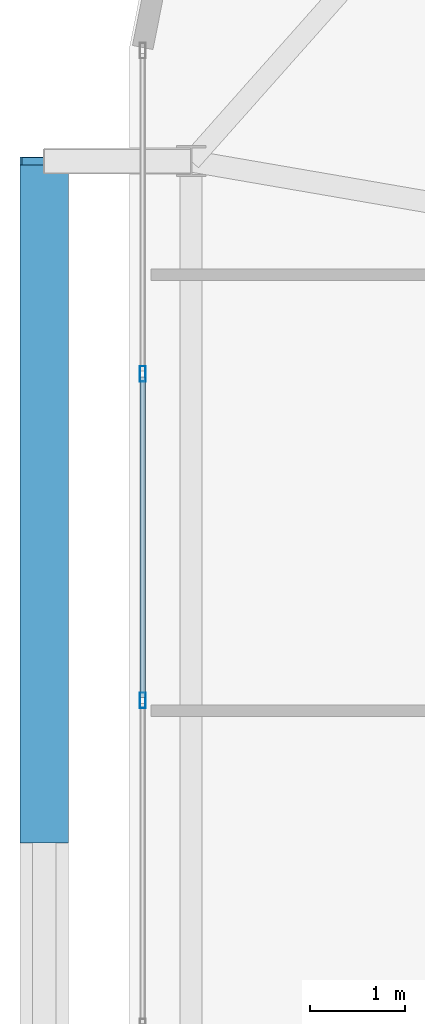
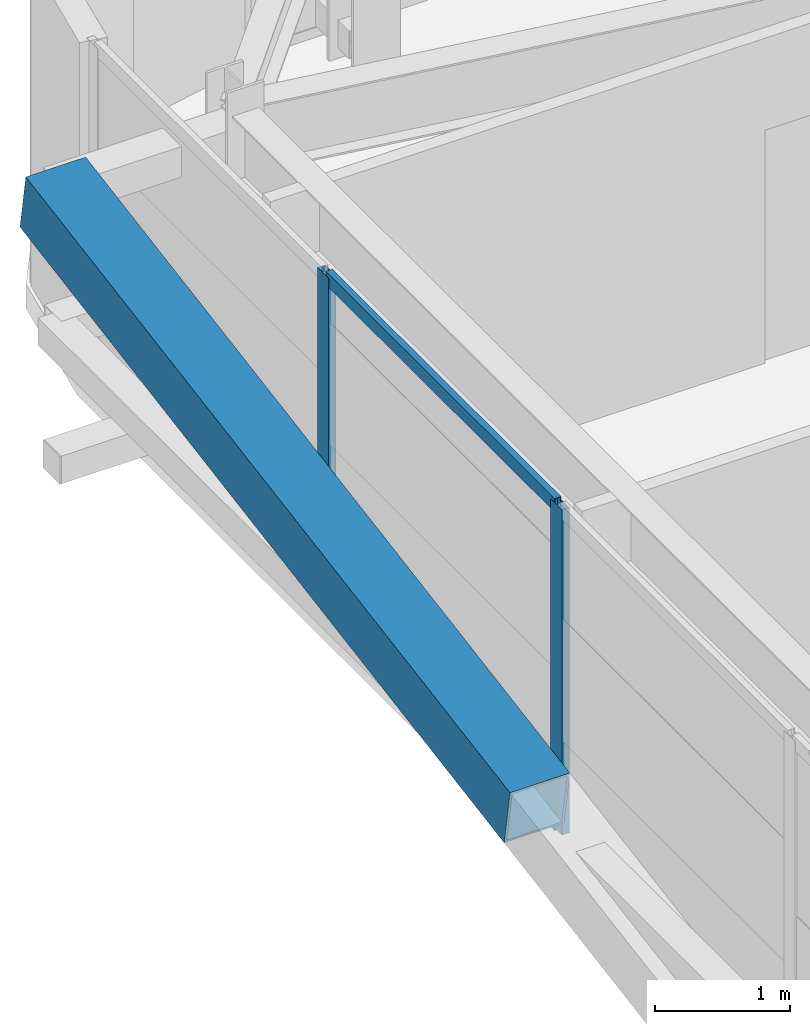
# One storey, part 18 of 59: 5 members, 1 element without a shape of its own.
"""IFC4 building model written with IfcOpenShell, lengths in metres."""

from ifc_helpers import new_model, si_unit, direction, frame, origin, origin_2d, place, context, subcontext, project, spatial, hollow_rectangle, extrude, source, transform, mapped, material, layer, layer_set, material_profile, profile_set, type_object, element, aggregate, save


model = new_model("IFC4")

# Units and contexts
model_context = context("Model", 3, precision=1e-05, world=origin(), true_north=direction((0.0, 1.0)))
body_context = subcontext(model_context, "Body", "Model", "MODEL_VIEW")
ifc_project = project(units=[si_unit("LENGTHUNIT", "METRE"), si_unit("AREAUNIT", "SQUARE_METRE"), si_unit("VOLUMEUNIT", "CUBIC_METRE"), si_unit("PLANEANGLEUNIT", "RADIAN"), si_unit("MASSUNIT", "GRAM", prefix="KILO")], contexts=[model_context])

# Site, building, storey
site_placement = place(None, origin())
site = spatial("IfcSite", under=ifc_project, at=site_placement, CompositionType="ELEMENT")
building_placement = place(site_placement, origin())
building = spatial("IfcBuilding", under=site, at=building_placement, Name="Taldren Reach Tower", CompositionType="ELEMENT")
storey_placement = place(building_placement, frame((0.0, 0.0, 19.949951171875)))
storey = spatial("IfcBuildingStorey", under=building, at=storey_placement, Name="L05", CompositionType="ELEMENT", Elevation=19.949951171875)

# Member
ifc_material_1 = material(Name="Steel Gr 450 (C450L0)", Category="steel")
ifc_material_profile_1 = material_profile(ifc_material_1, hollow_rectangle(XDim=0.510009765625, YDim=0.510009765625, WallThickness=0.02001953125, at=origin_2d()), Name="510x510x20.0SHS")
ifc_profile_set_1 = profile_set([ifc_material_profile_1], Name="Steel Gr 450 (C450L0)")
member_type_1 = type_object("IfcMemberType", Name="MB-EXO508", PredefinedType="BRACE", material=ifc_profile_set_1)
shared_shape_1 = source(origin(), body_context, "Body", "SweptSolid", [
    extrude(hollow_rectangle(XDim=0.510009765625, YDim=0.510009765625, WallThickness=0.02001953125, at=origin_2d()), origin(), (0.0, 0.0, 1.0), 7.252685546875),
])
member_1_placement = place(storey_placement, frame((4.10009765625, 27.14990234375, 1.43505859375), z_axis=(0.0, 0.985865800628, 0.167536930711), x_axis=(-1.0, 0.0, 0.0)))
element("IfcMember", 1, at=member_1_placement, inside=storey, type_object=member_type_1, Name="Exoskeleton Diagrid Brace B1-W2 L05", PredefinedType="BRACE", context=body_context, shape_type="MappedRepresentation", body=[
    mapped(shared_shape_1, transform((0.0, 0.0, 0.0), scale=1.0)),
])

# Curtain wall, members
ifc_material_2 = material(Name="Aluminium and Low-E Glass Unitised System", Category="aluminium")
ifc_layer = layer(ifc_material_2, 0.159912109375)
ifc_layer_set = layer_set([ifc_layer], Name="Aluminium and Low-E Glass Unitised System")
curtain_wall_type = type_object("IfcCurtainWallType", Name="CW-SYS-2", PredefinedType="NOTDEFINED", material=ifc_layer_set)
curtain_wall_placement = place(storey_placement, origin())
curtain_wall = element("IfcCurtainWall", 2, at=curtain_wall_placement, inside=storey, type_object=curtain_wall_type, Name="Unitised curtain wall CW-L05-W", PredefinedType="NOTDEFINED")
ifc_material_3 = material(Name="Anodised Aluminium 6063-T6", Category="aluminium")
ifc_material_profile_2 = material_profile(ifc_material_3, hollow_rectangle(XDim=0.06494140625, YDim=0.1650390625, WallThickness=0.00390625, at=origin_2d()), Name="ALU-165x65x4RHS")
ifc_profile_set_2 = profile_set([ifc_material_profile_2], Name="Anodised Aluminium 6063-T6")
member_type_2 = type_object("IfcMemberType", Name="CW-MUL-165", PredefinedType="MULLION", material=ifc_profile_set_2)
shared_shape_2 = source(origin(), body_context, "Body", "SweptSolid", [
    extrude(hollow_rectangle(XDim=0.06494140625, YDim=0.1650390625, WallThickness=0.00390625, at=origin_2d()), origin(), (0.0, 0.0, 1.0), 2.929931640625),
])
member_2_placement = place(storey_placement, frame((5.139892578125, 32.0556640625, 0.0), z_axis=(0.0, 0.0, 1.0), x_axis=(1.0, 0.0, 0.0)))
member_2 = element("IfcMember", 3, at=member_2_placement, type_object=member_type_2, Name="CW-2 mullion 2", PredefinedType="MULLION", context=body_context, shape_type="MappedRepresentation", body=[
    mapped(shared_shape_2, transform((0.0, 0.0, 0.0), scale=1.0)),
])
member_3_placement = place(storey_placement, frame((5.139892578125, 28.611083984375, 0.0), z_axis=(0.0, 0.0, 1.0), x_axis=(1.0, 0.0, 0.0)))
member_3 = element("IfcMember", 4, at=member_3_placement, type_object=member_type_2, Name="CW-2 mullion 3", PredefinedType="MULLION", context=body_context, shape_type="MappedRepresentation", body=[
    mapped(shared_shape_2, transform((0.0, 0.0, 0.0), scale=1.0)),
])
ifc_material_profile_3 = material_profile(ifc_material_3, hollow_rectangle(XDim=0.054931640625, YDim=0.1201171875, WallThickness=0.0029296875, at=origin_2d()), Name="ALU-120x55x3RHS")
ifc_profile_set_3 = profile_set([ifc_material_profile_3], Name="Anodised Aluminium 6063-T6")
member_type_3 = type_object("IfcMemberType", Name="CW-TRN-135", PredefinedType="USERDEFINED", material=ifc_profile_set_3)
shared_shape_3 = source(origin(), body_context, "Body", "SweptSolid", [
    extrude(hollow_rectangle(XDim=0.054931640625, YDim=0.1201171875, WallThickness=0.0029296875, at=origin_2d()), origin(), (0.0, 0.0, 1.0), 3.37939453125),
])
member_4_placement = place(storey_placement, frame((5.139892578125, 32.02294921875, 0.027587890625), z_axis=(0.0, -1.0, 0.0), x_axis=(1.0, 0.0, 0.0)))
member_4 = element("IfcMember", 5, at=member_4_placement, type_object=member_type_3, Name="CW-2 transom 2.1", ObjectType="TRANSOM", PredefinedType="USERDEFINED", context=body_context, shape_type="MappedRepresentation", body=[
    mapped(shared_shape_3, transform((0.0, 0.0, 0.0), scale=1.0)),
])
member_5_placement = place(storey_placement, frame((5.139892578125, 32.02294921875, 2.902587890625), z_axis=(0.0, -1.0, 0.0), x_axis=(1.0, 0.0, 0.0)))
member_5 = element("IfcMember", 6, at=member_5_placement, type_object=member_type_3, Name="CW-2 transom 2.2", ObjectType="TRANSOM", PredefinedType="USERDEFINED", context=body_context, shape_type="MappedRepresentation", body=[
    mapped(shared_shape_3, transform((0.0, 0.0, 0.0), scale=1.0)),
])
aggregate(curtain_wall, [member_2, member_3, member_4, member_5])

save(model, "model.ifc")
